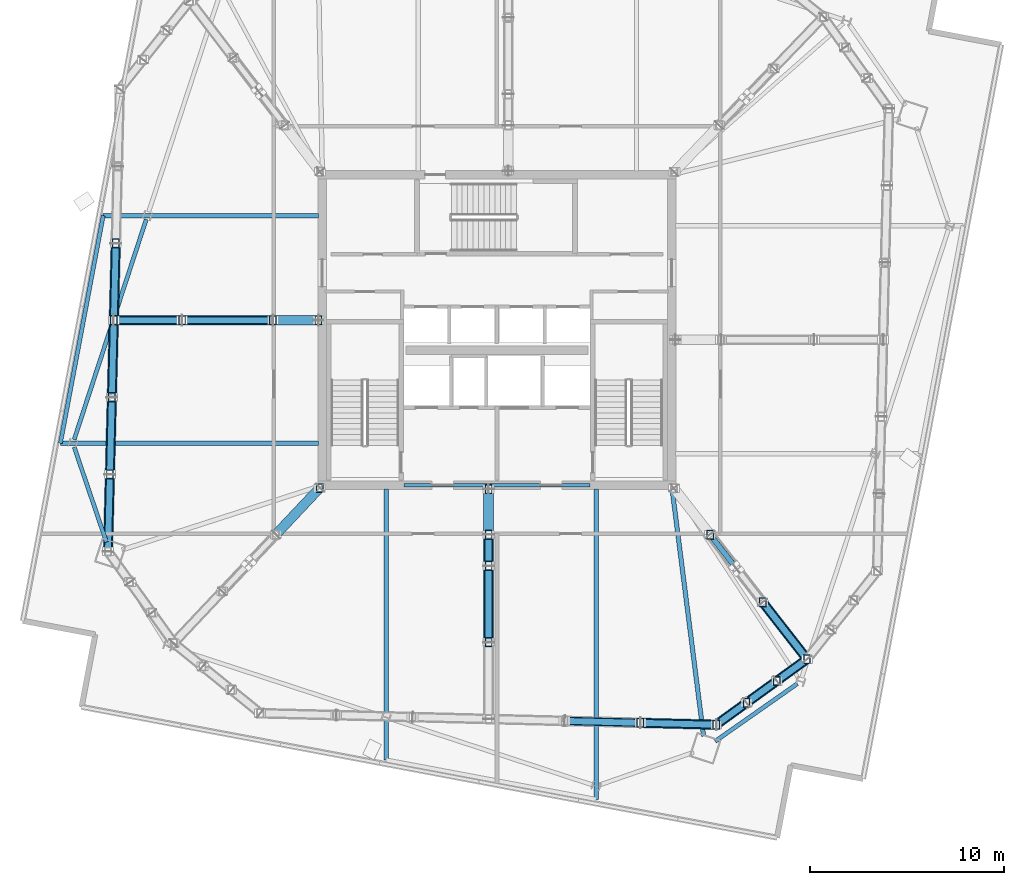
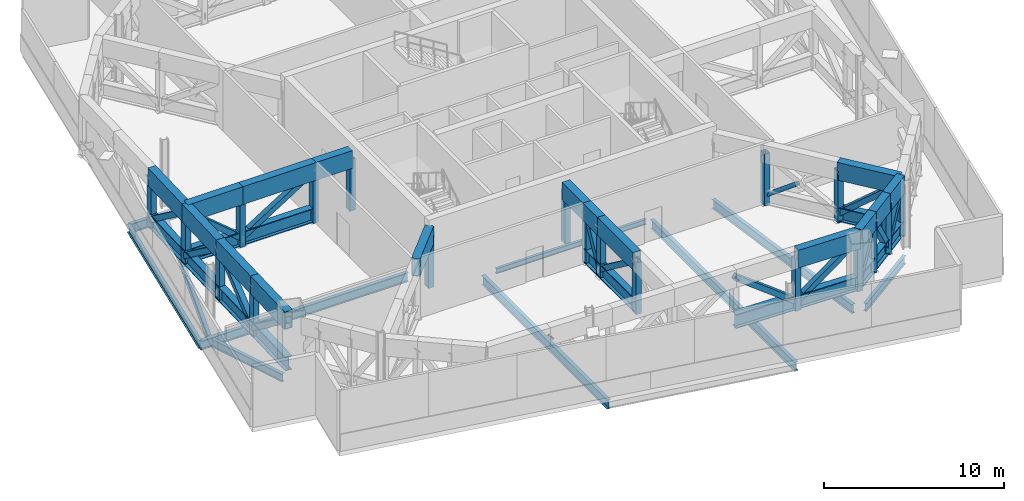
# One storey, part 2 of 15: 64 members, 10 beams.
"""IFC4 building model written with IfcOpenShell, lengths in metres."""

from ifc_helpers import new_model, si_unit, direction, frame, origin, origin_2d, place, context, subcontext, project, spatial, hollow_rectangle, hollow_circle, i_section, extrude, material, material_profile, profile_set, type_object, element, save


model = new_model("IFC4")

# Units and contexts
model_context = context("Model", 3, precision=1e-05, world=origin(), true_north=direction((0.0, 1.0)))
body_context = subcontext(model_context, "Body", "Model", "MODEL_VIEW")
ifc_project = project(units=[si_unit("LENGTHUNIT", "METRE"), si_unit("AREAUNIT", "SQUARE_METRE"), si_unit("VOLUMEUNIT", "CUBIC_METRE"), si_unit("PLANEANGLEUNIT", "RADIAN"), si_unit("MASSUNIT", "GRAM", prefix="KILO")], contexts=[model_context])

# Site, building, storey
site_placement = place(None, origin())
site = spatial("IfcSite", under=ifc_project, at=site_placement, CompositionType="ELEMENT")
building_placement = place(site_placement, origin())
building = spatial("IfcBuilding", under=site, at=building_placement, Name="Haldenkirk Collegiate Tower", CompositionType="ELEMENT")
storey_placement = place(building_placement, frame((0.0, 0.0, 293.699951171875)))
storey = spatial("IfcBuildingStorey", under=building, at=storey_placement, Name="L74", CompositionType="ELEMENT", Elevation=293.699951171875)

# Beams
ifc_material_1 = material(Name="Steel ASTM A992 Grade 50", Category="steel")
ifc_material_profile_1 = material_profile(ifc_material_1, i_section(OverallWidth=0.22998046875, OverallDepth=0.616943359375, WebThickness=0.01318359375, FlangeThickness=0.022216796875, at=origin_2d()), Name="W24X94")
ifc_profile_set_1 = profile_set([ifc_material_profile_1], Name="Steel ASTM A992 Grade 50")
beam_type_1 = type_object("IfcBeamType", Name="BM-GIRDER-W24X94", PredefinedType="BEAM", material=ifc_profile_set_1)
beam_1_placement = place(storey_placement, frame((46.6484375, 5.0693359375, -0.718505859375), z_axis=(-0.126462976839, 0.991971327957, 0.0), x_axis=(-0.991971327957, -0.126462976839, 0.0)))
element("IfcBeam", 1, at=beam_1_placement, inside=storey, type_object=beam_type_1, Name="L74 primary floor girder 01", PredefinedType="BEAM", context=body_context, shape_type="SweptSolid", body=[
    extrude(i_section(OverallWidth=0.22998046875, OverallDepth=0.616943359375, WebThickness=0.01318359375, FlangeThickness=0.022216796875, at=origin_2d()), origin(), (0.0, 0.0, 1.0), 12.830322265625),
])
beam_2_placement = place(storey_placement, frame((15.709716796875, 31.8935546875, -0.718505859375), z_axis=(1.0, 0.0, 0.0), x_axis=(0.0, 1.0, 0.0)))
element("IfcBeam", 2, at=beam_2_placement, inside=storey, type_object=beam_type_1, Name="L74 primary floor girder 12", PredefinedType="BEAM", context=body_context, shape_type="SweptSolid", body=[
    extrude(i_section(OverallWidth=0.22998046875, OverallDepth=0.616943359375, WebThickness=0.01318359375, FlangeThickness=0.022216796875, at=origin_2d()), origin(), (0.0, 0.0, 1.0), 11.085205078125),
])
beam_3_placement = place(storey_placement, frame((13.502685546875, 20.157958984375, -0.718505859375), z_axis=(1.0, 0.0, 0.0), x_axis=(0.0, 1.0, 0.0)))
element("IfcBeam", 3, at=beam_3_placement, inside=storey, type_object=beam_type_1, Name="L74 primary floor girder 13", PredefinedType="BEAM", context=body_context, shape_type="SweptSolid", body=[
    extrude(i_section(OverallWidth=0.22998046875, OverallDepth=0.616943359375, WebThickness=0.01318359375, FlangeThickness=0.022216796875, at=origin_2d()), origin(), (0.0, 0.0, 1.0), 13.292236328125),
])
beam_4_placement = place(storey_placement, frame((30.283203125, 3.844970703125, -0.718505859375), z_axis=(0.0, 1.0, 0.0), x_axis=(-1.0, 0.0, 0.0)))
element("IfcBeam", 4, at=beam_4_placement, inside=storey, type_object=beam_type_1, Name="L74 primary floor girder 15", PredefinedType="BEAM", context=body_context, shape_type="SweptSolid", body=[
    extrude(i_section(OverallWidth=0.22998046875, OverallDepth=0.616943359375, WebThickness=0.01318359375, FlangeThickness=0.022216796875, at=origin_2d()), origin(), (0.0, 0.0, 1.0), 13.949951171875),
])
beam_5_placement = place(storey_placement, frame((41.111083984375, 1.80859375, -0.718505859375), z_axis=(0.0, 1.0, 0.0), x_axis=(-1.0, 0.0, 0.0)))
element("IfcBeam", 5, at=beam_5_placement, inside=storey, type_object=beam_type_1, Name="L74 primary floor girder 16", PredefinedType="BEAM", context=body_context, shape_type="SweptSolid", body=[
    extrude(i_section(OverallWidth=0.22998046875, OverallDepth=0.616943359375, WebThickness=0.01318359375, FlangeThickness=0.022216796875, at=origin_2d()), origin(), (0.0, 0.0, 1.0), 15.986328125),
])
ifc_material_profile_2 = material_profile(ifc_material_1, i_section(OverallWidth=0.1708984375, OverallDepth=0.35595703125, WebThickness=0.007080078125, FlangeThickness=0.01171875, at=origin_2d()), Name="W14X34")
ifc_profile_set_2 = profile_set([ifc_material_profile_2], Name="Steel ASTM A992 Grade 50")
beam_type_2 = type_object("IfcBeamType", Name="BM-LINTEL-W14X34", PredefinedType="LINTEL", material=ifc_profile_set_2)
beam_6_placement = place(storey_placement, frame((31.199951171875, 18.0, -0.587890625), z_axis=(1.0, 0.0, 0.0), x_axis=(0.0, 1.0, 0.0)))
element("IfcBeam", 6, at=beam_6_placement, inside=storey, type_object=beam_type_2, Name="L74 south core coupling lintel", PredefinedType="LINTEL", context=body_context, shape_type="SweptSolid", body=[
    extrude(i_section(OverallWidth=0.1708984375, OverallDepth=0.35595703125, WebThickness=0.007080078125, FlangeThickness=0.01171875, at=origin_2d()), origin(), (0.0, 0.0, 1.0), 9.60009765625),
])
ifc_material_profile_3 = material_profile(ifc_material_1, i_section(OverallWidth=0.2099609375, OverallDepth=0.537109375, WebThickness=0.010986328125, FlangeThickness=0.017333984375, at=origin_2d()), Name="W21X68")
ifc_profile_set_3 = profile_set([ifc_material_profile_3], Name="Steel ASTM A992 Grade 50")
beam_type_3 = type_object("IfcBeamType", Name="BM-SPANDREL-W21X68", PredefinedType="SPANDREL", material=ifc_profile_set_3)
beam_7_placement = place(storey_placement, frame((47.243896484375, 4.805908203125, -0.678466796875), z_axis=(0.818943373955, 0.573874333156, 0.0), x_axis=(-0.573874333156, 0.818943373955, 0.0)))
element("IfcBeam", 7, at=beam_7_placement, inside=storey, type_object=beam_type_3, Name="L74 perimeter spandrel beam 01", PredefinedType="SPANDREL", context=body_context, shape_type="SweptSolid", body=[
    extrude(i_section(OverallWidth=0.2099609375, OverallDepth=0.537109375, WebThickness=0.010986328125, FlangeThickness=0.017333984375, at=origin_2d()), origin(), (0.0, 0.0, 1.0), 5.16943359375),
])
beam_8_placement = place(storey_placement, frame((17.9267578125, 31.701171875, -0.678466796875), z_axis=(-0.311010188249, -0.950406577631, 0.0), x_axis=(0.950406577631, -0.311010188249, 0.0)))
element("IfcBeam", 8, at=beam_8_placement, inside=storey, type_object=beam_type_3, Name="L74 perimeter spandrel beam 11", PredefinedType="SPANDREL", context=body_context, shape_type="SweptSolid", body=[
    extrude(i_section(OverallWidth=0.2099609375, OverallDepth=0.537109375, WebThickness=0.010986328125, FlangeThickness=0.017333984375, at=origin_2d()), origin(), (0.0, 0.0, 1.0), 11.94287109375),
])
beam_9_placement = place(storey_placement, frame((14.214599609375, 19.96630859375, -0.678466796875), z_axis=(0.321210878439, -0.947007693513, 0.0), x_axis=(0.947007693513, 0.321210878439, 0.0)))
element("IfcBeam", 9, at=beam_9_placement, inside=storey, type_object=beam_type_3, Name="L74 perimeter spandrel beam 12", PredefinedType="SPANDREL", context=body_context, shape_type="SweptSolid", body=[
    extrude(i_section(OverallWidth=0.2099609375, OverallDepth=0.537109375, WebThickness=0.010986328125, FlangeThickness=0.017333984375, at=origin_2d()), origin(), (0.0, 0.0, 1.0), 5.169189453125),
])
beam_10_placement = place(storey_placement, frame((15.709716796875, 31.8935546875, -0.678466796875), z_axis=(-0.184823010143, -0.982771822409, 0.0), x_axis=(0.982771822409, -0.184823010143, 0.0)))
element("IfcBeam", 10, at=beam_10_placement, inside=storey, type_object=beam_type_3, Name="L74 outer facade edge beam 3", PredefinedType="SPANDREL", context=body_context, shape_type="SweptSolid", body=[
    extrude(i_section(OverallWidth=0.2099609375, OverallDepth=0.537109375, WebThickness=0.010986328125, FlangeThickness=0.017333984375, at=origin_2d()), origin(), (0.0, 0.0, 1.0), 11.94140625),
])

# Members
ifc_material_2 = material(Name="Steel ASTM A572 Grade 50", Category="steel")
ifc_material_profile_4 = material_profile(ifc_material_2, hollow_rectangle(XDim=0.5, YDim=1.199951171875, WallThickness=0.050048828125, at=origin_2d()), Name="BOX1200X500X50")
ifc_profile_set_4 = profile_set([ifc_material_profile_4], Name="Steel ASTM A572 Grade 50")
member_type_1 = type_object("IfcMemberType", Name="MBR-CHORD-BOX1200", PredefinedType="CHORD", material=ifc_profile_set_4)
member_1_placement = place(storey_placement, frame((49.691650390625, 11.974365234375, 3.5), z_axis=(0.61433598297, -0.789044548823, 0.0), x_axis=(0.789044548823, 0.61433598297, 0.0)))
element("IfcMember", 11, at=member_1_placement, inside=storey, type_object=member_type_1, Name="Outrigger Truss L74 Radial 01 top chord 3", PredefinedType="CHORD", context=body_context, shape_type="SweptSolid", body=[
    extrude(hollow_rectangle(XDim=0.5, YDim=1.199951171875, WallThickness=0.050048828125, at=origin_2d()), origin(), (0.0, 0.0, 1.0), 3.718505859375),
])
member_2_placement = place(storey_placement, frame((26.86279296875, 17.8544921875, 3.5), z_axis=(-0.685731136038, -0.72785493683, 0.0), x_axis=(0.72785493683, -0.685731136038, 0.0)))
element("IfcMember", 12, at=member_2_placement, inside=storey, type_object=member_type_1, Name="Outrigger Truss L74 Radial 04 top chord 1", PredefinedType="CHORD", context=body_context, shape_type="SweptSolid", body=[
    extrude(hollow_rectangle(XDim=0.5, YDim=1.199951171875, WallThickness=0.050048828125, at=origin_2d()), origin(), (0.0, 0.0, 1.0), 3.3037109375),
])
member_3_placement = place(storey_placement, frame((26.800048828125, 26.499755859375, 3.5), z_axis=(-1.0, 0.0, 0.0), x_axis=(0.0, -1.0, 0.0)))
element("IfcMember", 13, at=member_3_placement, inside=storey, type_object=member_type_1, Name="Outrigger Truss L74 Radial 07 top chord 1", PredefinedType="CHORD", context=body_context, shape_type="SweptSolid", body=[
    extrude(hollow_rectangle(XDim=0.5, YDim=1.199951171875, WallThickness=0.050048828125, at=origin_2d()), origin(), (0.0, 0.0, 1.0), 2.35009765625),
])
member_4_placement = place(storey_placement, frame((24.449951171875, 26.499755859375, 3.5), z_axis=(-1.0, 0.0, 0.0), x_axis=(0.0, -1.0, 0.0)))
element("IfcMember", 14, at=member_4_placement, inside=storey, type_object=member_type_1, Name="Outrigger Truss L74 Radial 07 top chord 2", PredefinedType="CHORD", context=body_context, shape_type="SweptSolid", body=[
    extrude(hollow_rectangle(XDim=0.5, YDim=1.199951171875, WallThickness=0.050048828125, at=origin_2d()), origin(), (0.0, 0.0, 1.0), 4.678955078125),
])
member_5_placement = place(storey_placement, frame((19.77099609375, 26.499755859375, 3.5), z_axis=(-1.0, 0.0, 0.0), x_axis=(0.0, -1.0, 0.0)))
element("IfcMember", 15, at=member_5_placement, inside=storey, type_object=member_type_1, Name="Outrigger Truss L74 Radial 07 top chord 3", PredefinedType="CHORD", context=body_context, shape_type="SweptSolid", body=[
    extrude(hollow_rectangle(XDim=0.5, YDim=1.199951171875, WallThickness=0.050048828125, at=origin_2d()), origin(), (0.0, 0.0, 1.0), 3.5146484375),
])
member_6_placement = place(storey_placement, frame((35.567626953125, 17.800048828125, 3.5), z_axis=(0.0, -1.0, 0.0), x_axis=(1.0, 0.0, 0.0)))
element("IfcMember", 16, at=member_6_placement, inside=storey, type_object=member_type_1, Name="Outrigger Truss L74 Radial 08 top chord 1", PredefinedType="CHORD", context=body_context, shape_type="SweptSolid", body=[
    extrude(hollow_rectangle(XDim=0.5, YDim=1.199951171875, WallThickness=0.050048828125, at=origin_2d()), origin(), (0.0, 0.0, 1.0), 2.35009765625),
])
member_7_placement = place(storey_placement, frame((35.567626953125, 15.449951171875, 3.5), z_axis=(0.0, -1.0, 0.0), x_axis=(1.0, 0.0, 0.0)))
element("IfcMember", 17, at=member_7_placement, inside=storey, type_object=member_type_1, Name="Outrigger Truss L74 Radial 08 top chord 2", PredefinedType="CHORD", context=body_context, shape_type="SweptSolid", body=[
    extrude(hollow_rectangle(XDim=0.5, YDim=1.199951171875, WallThickness=0.050048828125, at=origin_2d()), origin(), (0.0, 0.0, 1.0), 1.598388671875),
])
member_8_placement = place(storey_placement, frame((35.567626953125, 13.8515625, 3.5), z_axis=(0.0, -1.0, 0.0), x_axis=(1.0, 0.0, 0.0)))
element("IfcMember", 18, at=member_8_placement, inside=storey, type_object=member_type_1, Name="Outrigger Truss L74 Radial 08 top chord 3", PredefinedType="CHORD", context=body_context, shape_type="SweptSolid", body=[
    extrude(hollow_rectangle(XDim=0.5, YDim=1.199951171875, WallThickness=0.050048828125, at=origin_2d()), origin(), (0.0, 0.0, 1.0), 3.948486328125),
])
for number, where, z_axis, x_axis, name in (
    (19, (16.356689453125, 30.470458984375, 3.5), (-0.025262471134, -0.999680852849, 0.0), (0.999680852849, -0.025262471134, 0.0), "Belt Truss L74-10 top chord 3"),
    (20, (16.25634765625, 26.499755859375, 3.5), (-0.02532389763, -0.99967929868, 0.0), (0.99967929868, -0.02532389763, 0.0), "Belt Truss L74-11 top chord 1"),
    (21, (16.15576171875, 22.529052734375, 3.5), (-0.025262471134, -0.999680852849, 0.0), (0.999680852849, -0.025262471134, 0.0), "Belt Truss L74-11 top chord 2"),
    (22, (16.055419921875, 18.558349609375, 3.5), (-0.02532389763, -0.99967929868, 0.0), (0.99967929868, -0.02532389763, 0.0), "Belt Truss L74-11 top chord 3"),
):
    element("IfcMember", number, at=place(storey_placement, frame(where, z_axis=z_axis, x_axis=x_axis)), inside=storey, type_object=member_type_1, Name=name, PredefinedType="CHORD", context=body_context, shape_type="SweptSolid", body=[
        extrude(hollow_rectangle(XDim=0.5, YDim=1.199951171875, WallThickness=0.050048828125, at=origin_2d()), origin(), (0.0, 0.0, 1.0), 3.971923828125),
    ])
member_9_placement = place(storey_placement, frame((43.38720703125, 5.756591796875, 3.5), z_axis=(0.999680351897, -0.025282286906, 0.0), x_axis=(0.025282286906, 0.999680351897, 0.0)))
element("IfcMember", 23, at=member_9_placement, inside=storey, type_object=member_type_1, Name="Belt Truss L74-15 top chord 3", PredefinedType="CHORD", context=body_context, shape_type="SweptSolid", body=[
    extrude(hollow_rectangle(XDim=0.5, YDim=1.199951171875, WallThickness=0.050048828125, at=origin_2d()), origin(), (0.0, 0.0, 1.0), 3.910888671875),
])
member_10_placement = place(storey_placement, frame((47.296875, 5.65771484375, 3.5), z_axis=(0.810455055889, 0.585800821427, 0.0), x_axis=(-0.585800821427, 0.810455055889, 0.0)))
element("IfcMember", 24, at=member_10_placement, inside=storey, type_object=member_type_1, Name="Belt Truss L74-16 top chord 1", PredefinedType="CHORD", context=body_context, shape_type="SweptSolid", body=[
    extrude(hollow_rectangle(XDim=0.5, YDim=1.199951171875, WallThickness=0.050048828125, at=origin_2d()), origin(), (0.0, 0.0, 1.0), 1.924560546875),
])
member_11_placement = place(storey_placement, frame((48.856689453125, 6.78515625, 3.5), z_axis=(0.81041151844, 0.585861050745, 0.0), x_axis=(-0.585861050745, 0.81041151844, 0.0)))
element("IfcMember", 25, at=member_11_placement, inside=storey, type_object=member_type_1, Name="Belt Truss L74-16 top chord 2", PredefinedType="CHORD", context=body_context, shape_type="SweptSolid", body=[
    extrude(hollow_rectangle(XDim=0.5, YDim=1.199951171875, WallThickness=0.050048828125, at=origin_2d()), origin(), (0.0, 0.0, 1.0), 1.92431640625),
])
member_12_placement = place(storey_placement, frame((50.416259765625, 7.91259765625, 3.5), z_axis=(0.810394831338, 0.585884133033, 0.0), x_axis=(-0.585884133033, 0.810394831338, 0.0)))
element("IfcMember", 26, at=member_12_placement, inside=storey, type_object=member_type_1, Name="Belt Truss L74-16 top chord 3", PredefinedType="CHORD", context=body_context, shape_type="SweptSolid", body=[
    extrude(hollow_rectangle(XDim=0.5, YDim=1.199951171875, WallThickness=0.050048828125, at=origin_2d()), origin(), (0.0, 0.0, 1.0), 1.9248046875),
])
ifc_material_3 = material(Name="Steel ASTM A913 Grade 65", Category="steel")
ifc_material_profile_5 = material_profile(ifc_material_3, i_section(OverallWidth=0.423095703125, OverallDepth=0.947998046875, WebThickness=0.02392578125, FlangeThickness=0.042724609375, at=origin_2d()), Name="W36X302")
ifc_profile_set_5 = profile_set([ifc_material_profile_5], Name="Steel ASTM A913 Grade 65")
member_type_2 = type_object("IfcMemberType", Name="MBR-CHORD-W36X302", PredefinedType="CHORD", material=ifc_profile_set_5)
member_13_placement = place(storey_placement, frame((49.691650390625, 11.974365234375, 0.550048828125), z_axis=(0.61433598297, -0.789044548823, 0.0), x_axis=(0.789044548823, 0.61433598297, 0.0)))
element("IfcMember", 27, at=member_13_placement, inside=storey, type_object=member_type_2, Name="Outrigger Truss L74 Radial 01 bottom chord 3", PredefinedType="CHORD", context=body_context, shape_type="SweptSolid", body=[
    extrude(i_section(OverallWidth=0.423095703125, OverallDepth=0.947998046875, WebThickness=0.02392578125, FlangeThickness=0.042724609375, at=origin_2d()), origin(), (0.0, 0.0, 1.0), 3.718505859375),
])
member_14_placement = place(storey_placement, frame((24.449951171875, 26.499755859375, 0.550048828125), z_axis=(-1.0, 0.0, 0.0), x_axis=(0.0, -1.0, 0.0)))
element("IfcMember", 28, at=member_14_placement, inside=storey, type_object=member_type_2, Name="Outrigger Truss L74 Radial 07 bottom chord 2", PredefinedType="CHORD", context=body_context, shape_type="SweptSolid", body=[
    extrude(i_section(OverallWidth=0.423095703125, OverallDepth=0.947998046875, WebThickness=0.02392578125, FlangeThickness=0.042724609375, at=origin_2d()), origin(), (0.0, 0.0, 1.0), 4.678955078125),
])
member_15_placement = place(storey_placement, frame((19.77099609375, 26.499755859375, 0.550048828125), z_axis=(-1.0, 0.0, 0.0), x_axis=(0.0, -1.0, 0.0)))
element("IfcMember", 29, at=member_15_placement, inside=storey, type_object=member_type_2, Name="Outrigger Truss L74 Radial 07 bottom chord 3", PredefinedType="CHORD", context=body_context, shape_type="SweptSolid", body=[
    extrude(i_section(OverallWidth=0.423095703125, OverallDepth=0.947998046875, WebThickness=0.02392578125, FlangeThickness=0.042724609375, at=origin_2d()), origin(), (0.0, 0.0, 1.0), 3.5146484375),
])
member_16_placement = place(storey_placement, frame((35.567626953125, 15.449951171875, 0.550048828125), z_axis=(0.0, -1.0, 0.0), x_axis=(1.0, 0.0, 0.0)))
element("IfcMember", 30, at=member_16_placement, inside=storey, type_object=member_type_2, Name="Outrigger Truss L74 Radial 08 bottom chord 2", PredefinedType="CHORD", context=body_context, shape_type="SweptSolid", body=[
    extrude(i_section(OverallWidth=0.423095703125, OverallDepth=0.947998046875, WebThickness=0.02392578125, FlangeThickness=0.042724609375, at=origin_2d()), origin(), (0.0, 0.0, 1.0), 1.598388671875),
])
member_17_placement = place(storey_placement, frame((35.567626953125, 13.8515625, 0.550048828125), z_axis=(0.0, -1.0, 0.0), x_axis=(1.0, 0.0, 0.0)))
element("IfcMember", 31, at=member_17_placement, inside=storey, type_object=member_type_2, Name="Outrigger Truss L74 Radial 08 bottom chord 3", PredefinedType="CHORD", context=body_context, shape_type="SweptSolid", body=[
    extrude(i_section(OverallWidth=0.423095703125, OverallDepth=0.947998046875, WebThickness=0.02392578125, FlangeThickness=0.042724609375, at=origin_2d()), origin(), (0.0, 0.0, 1.0), 3.948486328125),
])
for number, where, z_axis, x_axis, name in (
    (32, (16.356689453125, 30.470458984375, 0.550048828125), (-0.025262471134, -0.999680852849, 0.0), (0.999680852849, -0.025262471134, 0.0), "Belt Truss L74-10 bottom chord 3"),
    (33, (16.25634765625, 26.499755859375, 0.550048828125), (-0.02532389763, -0.99967929868, 0.0), (0.99967929868, -0.02532389763, 0.0), "Belt Truss L74-11 bottom chord 1"),
    (34, (16.15576171875, 22.529052734375, 0.550048828125), (-0.025262471134, -0.999680852849, 0.0), (0.999680852849, -0.025262471134, 0.0), "Belt Truss L74-11 bottom chord 2"),
    (35, (16.055419921875, 18.558349609375, 0.550048828125), (-0.02532389763, -0.99967929868, 0.0), (0.99967929868, -0.02532389763, 0.0), "Belt Truss L74-11 bottom chord 3"),
):
    element("IfcMember", number, at=place(storey_placement, frame(where, z_axis=z_axis, x_axis=x_axis)), inside=storey, type_object=member_type_2, Name=name, PredefinedType="CHORD", context=body_context, shape_type="SweptSolid", body=[
        extrude(i_section(OverallWidth=0.423095703125, OverallDepth=0.947998046875, WebThickness=0.02392578125, FlangeThickness=0.042724609375, at=origin_2d()), origin(), (0.0, 0.0, 1.0), 3.971923828125),
    ])
member_18_placement = place(storey_placement, frame((39.477294921875, 5.85546875, 0.550048828125), z_axis=(0.999680391795, -0.025280709252, 0.0), x_axis=(0.025280709252, 0.999680391795, 0.0)))
element("IfcMember", 36, at=member_18_placement, inside=storey, type_object=member_type_2, Name="Belt Truss L74-15 bottom chord 2", PredefinedType="CHORD", context=body_context, shape_type="SweptSolid", body=[
    extrude(i_section(OverallWidth=0.423095703125, OverallDepth=0.947998046875, WebThickness=0.02392578125, FlangeThickness=0.042724609375, at=origin_2d()), origin(), (0.0, 0.0, 1.0), 3.9111328125),
])
member_19_placement = place(storey_placement, frame((43.38720703125, 5.756591796875, 0.550048828125), z_axis=(0.999680351897, -0.025282286906, 0.0), x_axis=(0.025282286906, 0.999680351897, 0.0)))
element("IfcMember", 37, at=member_19_placement, inside=storey, type_object=member_type_2, Name="Belt Truss L74-15 bottom chord 3", PredefinedType="CHORD", context=body_context, shape_type="SweptSolid", body=[
    extrude(i_section(OverallWidth=0.423095703125, OverallDepth=0.947998046875, WebThickness=0.02392578125, FlangeThickness=0.042724609375, at=origin_2d()), origin(), (0.0, 0.0, 1.0), 3.910888671875),
])
member_20_placement = place(storey_placement, frame((47.296875, 5.65771484375, 0.550048828125), z_axis=(0.810455055889, 0.585800821427, 0.0), x_axis=(-0.585800821427, 0.810455055889, 0.0)))
element("IfcMember", 38, at=member_20_placement, inside=storey, type_object=member_type_2, Name="Belt Truss L74-16 bottom chord 1", PredefinedType="CHORD", context=body_context, shape_type="SweptSolid", body=[
    extrude(i_section(OverallWidth=0.423095703125, OverallDepth=0.947998046875, WebThickness=0.02392578125, FlangeThickness=0.042724609375, at=origin_2d()), origin(), (0.0, 0.0, 1.0), 1.924560546875),
])
member_21_placement = place(storey_placement, frame((48.856689453125, 6.78515625, 0.550048828125), z_axis=(0.81041151844, 0.585861050745, 0.0), x_axis=(-0.585861050745, 0.81041151844, 0.0)))
element("IfcMember", 39, at=member_21_placement, inside=storey, type_object=member_type_2, Name="Belt Truss L74-16 bottom chord 2", PredefinedType="CHORD", context=body_context, shape_type="SweptSolid", body=[
    extrude(i_section(OverallWidth=0.423095703125, OverallDepth=0.947998046875, WebThickness=0.02392578125, FlangeThickness=0.042724609375, at=origin_2d()), origin(), (0.0, 0.0, 1.0), 1.92431640625),
])
member_22_placement = place(storey_placement, frame((50.416259765625, 7.91259765625, 0.550048828125), z_axis=(0.810394831338, 0.585884133033, 0.0), x_axis=(-0.585884133033, 0.810394831338, 0.0)))
element("IfcMember", 40, at=member_22_placement, inside=storey, type_object=member_type_2, Name="Belt Truss L74-16 bottom chord 3", PredefinedType="CHORD", context=body_context, shape_type="SweptSolid", body=[
    extrude(i_section(OverallWidth=0.423095703125, OverallDepth=0.947998046875, WebThickness=0.02392578125, FlangeThickness=0.042724609375, at=origin_2d()), origin(), (0.0, 0.0, 1.0), 1.9248046875),
])
ifc_material_profile_6 = material_profile(ifc_material_2, hollow_circle(Radius=0.136474609375, WallThickness=0.011962890625, at=origin_2d()), Name="CHS273X12")
ifc_profile_set_6 = profile_set([ifc_material_profile_6], Name="Steel ASTM A572 Grade 50")
member_type_3 = type_object("IfcMemberType", Name="MBR-STRUT-CHS273", PredefinedType="STRUT", material=ifc_profile_set_6)
member_23_placement = place(storey_placement, frame((46.985595703125, 15.449951171875, 0.550048828125), z_axis=(0.510396296996, -0.655616195784, 0.556473740475), x_axis=(0.789076492646, 0.61429495257, 0.0)))
element("IfcMember", 41, at=member_23_placement, inside=storey, type_object=member_type_3, Name="Outrigger Truss L74 Radial 01 split X-brace diagonal 2A", PredefinedType="STRUT", context=body_context, shape_type="SweptSolid", body=[
    extrude(hollow_circle(Radius=0.136474609375, WallThickness=0.011962890625, at=origin_2d()), origin(), (0.0, 0.0, 1.0), 2.410888671875),
])
ifc_material_profile_7 = material_profile(ifc_material_2, hollow_rectangle(XDim=0.35009765625, YDim=0.35009765625, WallThickness=0.01611328125, at=origin_2d()), Name="HSS350X350X16")
ifc_profile_set_7 = profile_set([ifc_material_profile_7], Name="Steel ASTM A572 Grade 50")
member_type_4 = type_object("IfcMemberType", Name="MBR-TRUSSDIAG-HSS350X350X16", PredefinedType="BRACE", material=ifc_profile_set_7)
member_24_placement = place(storey_placement, frame((49.691650390625, 11.974365234375, 0.550048828125), z_axis=(0.481281913051, -0.618151761361, 0.621495068441), x_axis=(0.789044548823, 0.61433598297, 0.0)))
element("IfcMember", 42, at=member_24_placement, inside=storey, type_object=member_type_4, Name="Outrigger Truss L74 Radial 01 web diagonal 3", PredefinedType="BRACE", context=body_context, shape_type="SweptSolid", body=[
    extrude(hollow_rectangle(XDim=0.35009765625, YDim=0.35009765625, WallThickness=0.01611328125, at=origin_2d()), origin(), (0.0, 0.0, 1.0), 4.74658203125),
])
member_25_placement = place(storey_placement, frame((24.449951171875, 26.499755859375, 3.5), z_axis=(-0.845911317411, 0.0, -0.533323581961), x_axis=(0.0, -1.0, 0.0)))
element("IfcMember", 43, at=member_25_placement, inside=storey, type_object=member_type_4, Name="Outrigger Truss L74 Radial 07 web diagonal 2", PredefinedType="BRACE", context=body_context, shape_type="SweptSolid", body=[
    extrude(hollow_rectangle(XDim=0.35009765625, YDim=0.35009765625, WallThickness=0.01611328125, at=origin_2d()), origin(), (0.0, 0.0, 1.0), 5.53125),
])
member_26_placement = place(storey_placement, frame((19.77099609375, 26.499755859375, 0.550048828125), z_axis=(-0.765957410723, 0.0, 0.642891316599), x_axis=(0.0, -1.0, 0.0)))
element("IfcMember", 44, at=member_26_placement, inside=storey, type_object=member_type_4, Name="Outrigger Truss L74 Radial 07 web diagonal 3", PredefinedType="BRACE", context=body_context, shape_type="SweptSolid", body=[
    extrude(hollow_rectangle(XDim=0.35009765625, YDim=0.35009765625, WallThickness=0.01611328125, at=origin_2d()), origin(), (0.0, 0.0, 1.0), 4.588623046875),
])
member_27_placement = place(storey_placement, frame((35.567626953125, 15.449951171875, 3.5), z_axis=(0.0, -0.476398007077, -0.879229741793), x_axis=(1.0, 0.0, 0.0)))
element("IfcMember", 45, at=member_27_placement, inside=storey, type_object=member_type_4, Name="Outrigger Truss L74 Radial 08 web diagonal 2", PredefinedType="BRACE", context=body_context, shape_type="SweptSolid", body=[
    extrude(hollow_rectangle(XDim=0.35009765625, YDim=0.35009765625, WallThickness=0.01611328125, at=origin_2d()), origin(), (0.0, 0.0, 1.0), 3.355224609375),
])
member_28_placement = place(storey_placement, frame((35.567626953125, 13.8515625, 0.550048828125), z_axis=(0.0, -0.801110165699, 0.598516919071), x_axis=(1.0, 0.0, 0.0)))
element("IfcMember", 46, at=member_28_placement, inside=storey, type_object=member_type_4, Name="Outrigger Truss L74 Radial 08 web diagonal 3", PredefinedType="BRACE", context=body_context, shape_type="SweptSolid", body=[
    extrude(hollow_rectangle(XDim=0.35009765625, YDim=0.35009765625, WallThickness=0.01611328125, at=origin_2d()), origin(), (0.0, 0.0, 1.0), 4.9287109375),
])
for number, where, z_axis, x_axis, name in (
    (47, (16.356689453125, 30.470458984375, 0.550048828125), (-0.020280895809, -0.802551069208, 0.596238598699), (0.999680852849, -0.025262471134, 0.0), "Belt Truss L74-10 web diagonal 3"),
    (48, (16.25634765625, 26.499755859375, 0.550048828125), (-0.020330220684, -0.802550265066, 0.596238001279), (0.99967929868, -0.02532389763, 0.0), "Belt Truss L74-11 web diagonal 1"),
    (49, (16.15576171875, 22.529052734375, 3.5), (-0.020280895809, -0.802551069208, -0.596238598699), (0.999680852849, -0.025262471134, 0.0), "Belt Truss L74-11 web diagonal 2"),
    (50, (16.055419921875, 18.558349609375, 0.550048828125), (-0.020330220684, -0.802550265066, 0.596238001279), (0.99967929868, -0.02532389763, 0.0), "Belt Truss L74-11 web diagonal 3"),
):
    element("IfcMember", number, at=place(storey_placement, frame(where, z_axis=z_axis, x_axis=x_axis)), inside=storey, type_object=member_type_4, Name=name, PredefinedType="BRACE", context=body_context, shape_type="SweptSolid", body=[
        extrude(hollow_rectangle(XDim=0.35009765625, YDim=0.35009765625, WallThickness=0.01611328125, at=origin_2d()), origin(), (0.0, 0.0, 1.0), 4.947509765625),
    ])
member_29_placement = place(storey_placement, frame((39.477294921875, 5.85546875, 3.5), z_axis=(0.798117422649, -0.0201834253, -0.60216377258), x_axis=(0.025280709252, 0.999680391795, 0.0)))
element("IfcMember", 51, at=member_29_placement, inside=storey, type_object=member_type_4, Name="Belt Truss L74-15 web diagonal 2", PredefinedType="BRACE", context=body_context, shape_type="SweptSolid", body=[
    extrude(hollow_rectangle(XDim=0.35009765625, YDim=0.35009765625, WallThickness=0.01611328125, at=origin_2d()), origin(), (0.0, 0.0, 1.0), 4.89892578125),
])
member_30_placement = place(storey_placement, frame((43.38720703125, 5.756591796875, 0.550048828125), z_axis=(0.798099330813, -0.020184228112, 0.602187724129), x_axis=(0.025282286906, 0.999680351897, 0.0)))
element("IfcMember", 52, at=member_30_placement, inside=storey, type_object=member_type_4, Name="Belt Truss L74-15 web diagonal 3", PredefinedType="BRACE", context=body_context, shape_type="SweptSolid", body=[
    extrude(hollow_rectangle(XDim=0.35009765625, YDim=0.35009765625, WallThickness=0.01611328125, at=origin_2d()), origin(), (0.0, 0.0, 1.0), 4.898681640625),
])
for number, where, z_axis, x_axis, name in (
    (53, (47.296875, 5.65771484375, 0.550048828125), (0.442844035969, 0.320089804054, 0.837515180249), (-0.585800821427, 0.810455055889, 0.0), "Belt Truss L74-16 web diagonal 1"),
    (54, (48.856689453125, 6.78515625, 3.5), (0.442788313021, 0.320099628919, -0.837540887013), (-0.585861050745, 0.81041151844, 0.0), "Belt Truss L74-16 web diagonal 2"),
):
    element("IfcMember", number, at=place(storey_placement, frame(where, z_axis=z_axis, x_axis=x_axis)), inside=storey, type_object=member_type_4, Name=name, PredefinedType="BRACE", context=body_context, shape_type="SweptSolid", body=[
        extrude(hollow_rectangle(XDim=0.35009765625, YDim=0.35009765625, WallThickness=0.01611328125, at=origin_2d()), origin(), (0.0, 0.0, 1.0), 3.522216796875),
    ])
member_31_placement = place(storey_placement, frame((50.416259765625, 7.91259765625, 0.550048828125), z_axis=(0.442834210051, 0.320152013809, 0.837496597284), x_axis=(-0.585884133033, 0.810394831338, 0.0)))
element("IfcMember", 55, at=member_31_placement, inside=storey, type_object=member_type_4, Name="Belt Truss L74-16 web diagonal 3", PredefinedType="BRACE", context=body_context, shape_type="SweptSolid", body=[
    extrude(hollow_rectangle(XDim=0.35009765625, YDim=0.35009765625, WallThickness=0.01611328125, at=origin_2d()), origin(), (0.0, 0.0, 1.0), 3.5224609375),
])
ifc_material_profile_8 = material_profile(ifc_material_2, hollow_rectangle(XDim=0.35009765625, YDim=0.449951171875, WallThickness=0.02197265625, at=origin_2d()), Name="HSS450X350X22")
ifc_profile_set_8 = profile_set([ifc_material_profile_8], Name="Steel ASTM A572 Grade 50")
member_type_5 = type_object("IfcMemberType", Name="MBR-TRUSSPOST-HSS450X350X22", PredefinedType="POST", material=ifc_profile_set_8)
for number, where, z_axis, x_axis, name in (
    (56, (46.985595703125, 15.449951171875, 0.0), (0.0, 0.0, 1.0), (1.0, 0.0, 0.0), "Outrigger Truss L74 Radial 01 vertical post 2"),
    (57, (49.691650390625, 11.974365234375, 0.0), (0.0, 0.0, 1.0), (1.0, 0.0, 0.0), "Outrigger Truss L74 Radial 01 vertical post 3"),
    (58, (51.97607421875, 9.040283203125, 0.0), (0.0, 0.0, 1.0), (1.0, 0.0, 0.0), "Outrigger Truss L74 Radial 01 vertical post 4"),
    (59, (26.86279296875, 17.8544921875, 0.0), (0.0, 0.0, 1.0), (1.0, 0.0, 0.0), "Outrigger Truss L74 Radial 04 vertical post 1"),
    (60, (26.800048828125, 26.499755859375, 0.0), (0.0, 0.0, 1.0), (1.0, 0.0, 0.0), "Outrigger Truss L74 Radial 07 vertical post 1"),
    (61, (24.449951171875, 26.499755859375, 0.0), (0.0, 0.0, 1.0), (1.0, 0.0, 0.0), "Outrigger Truss L74 Radial 07 vertical post 2"),
    (62, (19.77099609375, 26.499755859375, 0.0), (0.0, 0.0, 1.0), (1.0, 0.0, 0.0), "Outrigger Truss L74 Radial 07 vertical post 3"),
    (63, (16.25634765625, 26.499755859375, 0.0), (0.0, 0.0, 1.0), (1.0, 0.0, 0.0), "Outrigger Truss L74 Radial 07 vertical post 4"),
    (64, (35.567626953125, 17.800048828125, 0.0), (0.0, 0.0, 1.0), (1.0, 0.0, 0.0), "Outrigger Truss L74 Radial 08 vertical post 1"),
    (65, (35.567626953125, 15.449951171875, 0.0), (0.0, 0.0, 1.0), (1.0, 0.0, 0.0), "Outrigger Truss L74 Radial 08 vertical post 2"),
    (66, (35.567626953125, 13.8515625, 0.0), (0.0, 0.0, 1.0), (1.0, 0.0, 0.0), "Outrigger Truss L74 Radial 08 vertical post 3"),
    (67, (35.567626953125, 9.903076171875, 0.0), (0.0, 0.0, 1.0), (1.0, 0.0, 0.0), "Outrigger Truss L74 Radial 08 vertical post 4"),
    (68, (16.356689453125, 30.470458984375, 0.0), (0.0, 0.0, 1.0), (1.0, 0.0, 0.0), "Belt Truss L74-10 vertical post 3"),
    (69, (16.15576171875, 22.529052734375, 0.0), (0.0, 0.0, 1.0), (1.0, 0.0, 0.0), "Belt Truss L74-11 vertical post 2"),
    (70, (16.055419921875, 18.558349609375, 0.0), (0.0, 0.0, 1.0), (1.0, 0.0, 0.0), "Belt Truss L74-11 vertical post 3"),
    (71, (43.38720703125, 5.756591796875, 0.0), (0.0, 0.0, 1.0), (1.0, 0.0, 0.0), "Belt Truss L74-15 vertical post 3"),
    (72, (47.296875, 5.65771484375, 0.0), (0.0, 0.0, 1.0), (1.0, 0.0, 0.0), "Belt Truss L74-15 vertical post 4"),
    (73, (48.856689453125, 6.78515625, 0.0), (0.0, 0.0, 1.0), (1.0, 0.0, 0.0), "Belt Truss L74-16 vertical post 2"),
    (74, (50.416259765625, 7.91259765625, 0.0), (0.0, 0.0, 1.0), (1.0, 0.0, 0.0), "Belt Truss L74-16 vertical post 3"),
):
    element("IfcMember", number, at=place(storey_placement, frame(where, z_axis=z_axis, x_axis=x_axis)), inside=storey, type_object=member_type_5, Name=name, PredefinedType="POST", context=body_context, shape_type="SweptSolid", body=[
        extrude(hollow_rectangle(XDim=0.35009765625, YDim=0.449951171875, WallThickness=0.02197265625, at=origin_2d()), origin(), (0.0, 0.0, 1.0), 3.5),
    ])

save(model, "model.ifc")
